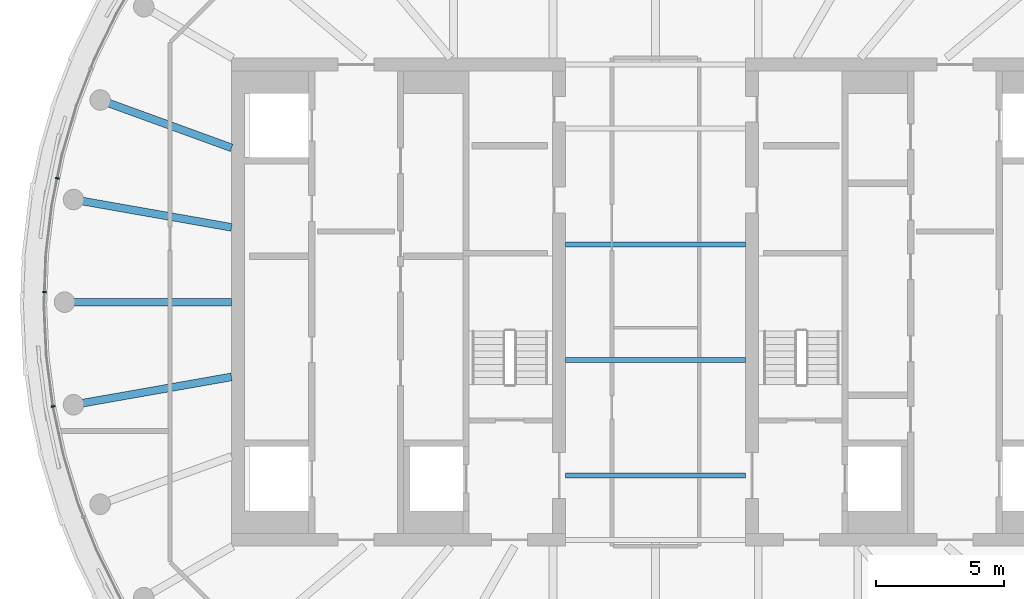
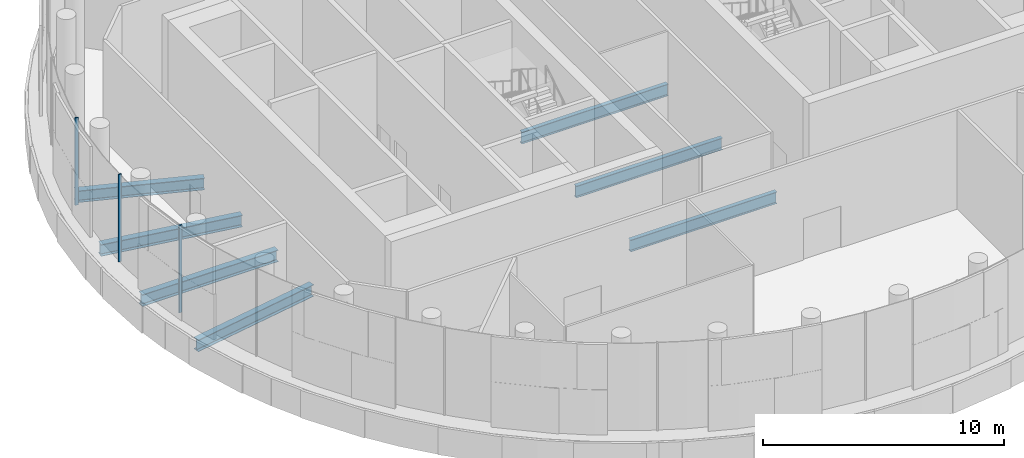
# One storey, part 4 of 18: 7 beams, 3 members, 1 element without a shape of its own.
"""IFC4 building model written with IfcOpenShell, lengths in metres."""

from ifc_helpers import new_model, si_unit, direction, frame, origin, origin_2d, place, context, subcontext, project, spatial, rectangle, i_section, extrude, material, layer, layer_set, material_profile, profile_set, type_object, element, aggregate, save


model = new_model("IFC4")

# Units and contexts
model_context = context("Model", 3, precision=1e-05, world=origin(), true_north=direction((0.0, 1.0)))
body_context = subcontext(model_context, "Body", "Model", "MODEL_VIEW")
ifc_project = project(units=[si_unit("LENGTHUNIT", "METRE"), si_unit("AREAUNIT", "SQUARE_METRE"), si_unit("VOLUMEUNIT", "CUBIC_METRE"), si_unit("PLANEANGLEUNIT", "RADIAN"), si_unit("MASSUNIT", "GRAM", prefix="KILO")], contexts=[model_context])

# Site, building, storey
site_placement = place(None, origin())
site = spatial("IfcSite", under=ifc_project, at=site_placement, CompositionType="ELEMENT")
building_placement = place(site_placement, origin())
building = spatial("IfcBuilding", under=site, at=building_placement, Name="Tamarind Cross Interchange Tower", CompositionType="ELEMENT")
storey_placement = place(building_placement, frame((0.0, 0.0, 299.39990234375)))
storey = spatial("IfcBuildingStorey", under=building, at=storey_placement, Name="L74", CompositionType="ELEMENT", Elevation=299.39990234375)

# Beams
ifc_material_1 = material(Name="Steel Q355B", Category="steel")
ifc_material_profile_1 = material_profile(ifc_material_1, i_section(OverallWidth=0.302001953125, OverallDepth=0.593994140625, WebThickness=0.013916015625, FlangeThickness=0.02294921875, FilletRadius=0.01806640625, at=origin_2d()), Name="HM 594x302x14x23")
ifc_profile_set_1 = profile_set([ifc_material_profile_1], Name="Steel Q355B")
beam_type_1 = type_object("IfcBeamType", Name="Composite beam HM 594x302x14x23 Q355B", PredefinedType="BEAM", material=ifc_profile_set_1)
beam_1_placement = place(storey_placement, frame((-21.613037109375, 7.866455078125, -0.546875), z_axis=(0.939701685589, -0.341995236956, 0.0), x_axis=(0.341995236956, 0.939701685589, 0.0)))
element("IfcBeam", 1, at=beam_1_placement, inside=storey, type_object=beam_type_1, Name="Beam HH16", PredefinedType="BEAM", context=body_context, shape_type="SweptSolid", body=[
    extrude(i_section(OverallWidth=0.302001953125, OverallDepth=0.593994140625, WebThickness=0.013916015625, FlangeThickness=0.02294921875, FilletRadius=0.01806640625, at=origin_2d()), origin(), (0.0, 0.0, 1.0), 5.441162109375),
])
beam_2_placement = place(storey_placement, frame((-22.650634765625, 3.993896484375, -0.546875), z_axis=(0.984809127561, -0.173640382036, 0.0), x_axis=(0.173640382036, 0.984809127561, 0.0)))
element("IfcBeam", 2, at=beam_2_placement, inside=storey, type_object=beam_type_1, Name="Beam HH17", PredefinedType="BEAM", context=body_context, shape_type="SweptSolid", body=[
    extrude(i_section(OverallWidth=0.302001953125, OverallDepth=0.593994140625, WebThickness=0.013916015625, FlangeThickness=0.02294921875, FilletRadius=0.01806640625, at=origin_2d()), origin(), (0.0, 0.0, 1.0), 6.24560546875),
])
beam_3_placement = place(storey_placement, frame((-23.0, 0.0, -0.546875), z_axis=(1.0, 0.0, 0.0), x_axis=(0.0, 1.0, 0.0)))
element("IfcBeam", 3, at=beam_3_placement, inside=storey, type_object=beam_type_1, Name="Beam HH18", PredefinedType="BEAM", context=body_context, shape_type="SweptSolid", body=[
    extrude(i_section(OverallWidth=0.302001953125, OverallDepth=0.593994140625, WebThickness=0.013916015625, FlangeThickness=0.02294921875, FilletRadius=0.01806640625, at=origin_2d()), origin(), (0.0, 0.0, 1.0), 6.5),
])
beam_4_placement = place(storey_placement, frame((-22.650634765625, -3.993896484375, -0.546875), z_axis=(0.984809127561, 0.173640382036, 0.0), x_axis=(-0.173640382036, 0.984809127561, 0.0)))
element("IfcBeam", 4, at=beam_4_placement, inside=storey, type_object=beam_type_1, Name="Beam HH19", PredefinedType="BEAM", context=body_context, shape_type="SweptSolid", body=[
    extrude(i_section(OverallWidth=0.302001953125, OverallDepth=0.593994140625, WebThickness=0.013916015625, FlangeThickness=0.02294921875, FilletRadius=0.01806640625, at=origin_2d()), origin(), (0.0, 0.0, 1.0), 6.24560546875),
])
ifc_material_profile_2 = material_profile(ifc_material_1, i_section(OverallWidth=0.198974609375, OverallDepth=0.595947265625, WebThickness=0.010009765625, FlangeThickness=0.014892578125, FilletRadius=0.012939453125, at=origin_2d()), Name="HN 596x199x10x15")
ifc_profile_set_2 = profile_set([ifc_material_profile_2], Name="Steel Q355B")
beam_type_2 = type_object("IfcBeamType", Name="Composite beam HN 596x199x10x15 Q355B", PredefinedType="BEAM", material=ifc_profile_set_2)
for number, where, z_axis, x_axis, name in (
    (5, (-3.5, -2.25, -0.5478515625), (1.0, 0.0, 0.0), (0.0, 1.0, 0.0), "Beam G-2.25"),
    (6, (-3.5, -6.75, -0.5478515625), (1.0, 0.0, 0.0), (0.0, 1.0, 0.0), "Beam G-6.75"),
    (7, (-3.5, 2.25, -0.5478515625), (1.0, 0.0, 0.0), (0.0, 1.0, 0.0), "Beam G2.25"),
):
    element("IfcBeam", number, at=place(storey_placement, frame(where, z_axis=z_axis, x_axis=x_axis)), inside=storey, type_object=beam_type_2, Name=name, PredefinedType="BEAM", context=body_context, shape_type="SweptSolid", body=[
        extrude(i_section(OverallWidth=0.198974609375, OverallDepth=0.595947265625, WebThickness=0.010009765625, FlangeThickness=0.014892578125, FilletRadius=0.012939453125, at=origin_2d()), origin(), (0.0, 0.0, 1.0), 7.0),
    ])

# Curtain wall, members
ifc_material_2 = material(Name="Aluminium 6063-T6", Category="aluminium")
ifc_layer = layer(ifc_material_2, 0.14990234375)
ifc_layer_set = layer_set([ifc_layer], Name="Aluminium 6063-T6")
curtain_wall_type = type_object("IfcCurtainWallType", Name="Winter garden and crown curtain wall", PredefinedType="NOTDEFINED", material=ifc_layer_set)
curtain_wall_placement = place(storey_placement, origin())
curtain_wall = element("IfcCurtainWall", 8, at=curtain_wall_placement, inside=storey, type_object=curtain_wall_type, Name="CWS-L74-02", PredefinedType="NOTDEFINED")
ifc_material_profile_3 = material_profile(ifc_material_2, rectangle(XDim=0.06005859375, YDim=0.14990234375, at=origin_2d()), Name="Mullion CW6")
ifc_profile_set_3 = profile_set([ifc_material_profile_3], Name="Aluminium 6063-T6")
member_type = type_object("IfcMemberType", Name="Mullion CW6", PredefinedType="MULLION", material=ifc_profile_set_3)
member_1_placement = place(storey_placement, frame((-23.281982421875, 4.8193359375, 1.400146484375), z_axis=(0.0, 0.0, 1.0), x_axis=(-0.201001463943, -0.9795909409, 0.0)))
member_1 = element("IfcMember", 9, at=member_1_placement, type_object=member_type, Name="CWM-L74-02-04", PredefinedType="MULLION", context=body_context, shape_type="SweptSolid", body=[
    extrude(rectangle(XDim=0.06005859375, YDim=0.14990234375, at=origin_2d()), origin(), (0.0, 0.0, 1.0), 4.419921875),
])
member_2_placement = place(storey_placement, frame((-23.77734375, 0.387939453125, 1.400146484375), z_axis=(0.0, 0.0, 1.0), x_axis=(-0.037024696392, -0.999314350871, 0.0)))
member_2 = element("IfcMember", 10, at=member_2_placement, type_object=member_type, Name="CWM-L74-02-05", PredefinedType="MULLION", context=body_context, shape_type="SweptSolid", body=[
    extrude(rectangle(XDim=0.06005859375, YDim=0.14990234375, at=origin_2d()), origin(), (0.0, 0.0, 1.0), 4.419921875),
])
member_3_placement = place(storey_placement, frame((-23.4453125, -4.05908203125, 1.400146484375), z_axis=(0.0, 0.0, 1.0), x_axis=(0.209425419705, -0.977824623121, 0.0)))
member_3 = element("IfcMember", 11, at=member_3_placement, type_object=member_type, Name="CWM-L74-02-06", PredefinedType="MULLION", context=body_context, shape_type="SweptSolid", body=[
    extrude(rectangle(XDim=0.06005859375, YDim=0.14990234375, at=origin_2d()), origin(), (0.0, 0.0, 1.0), 4.419921875),
])
aggregate(curtain_wall, [member_1, member_2, member_3])

save(model, "model.ifc")
